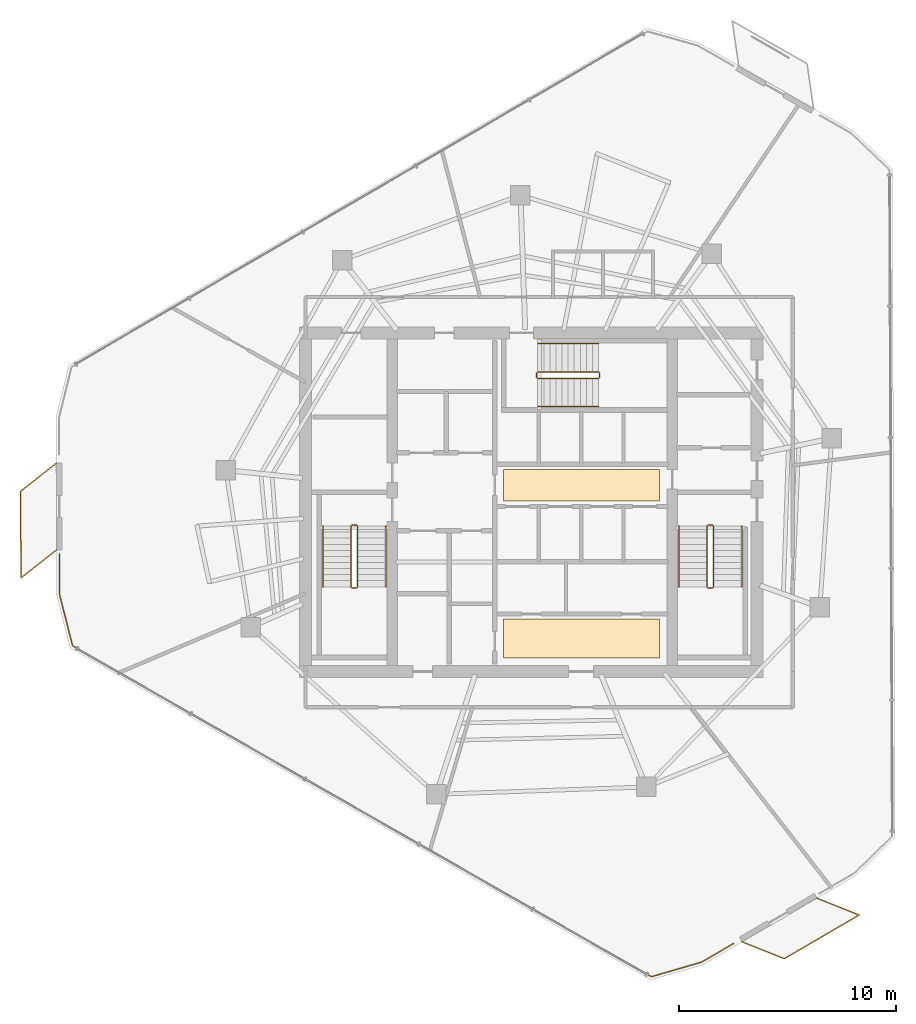
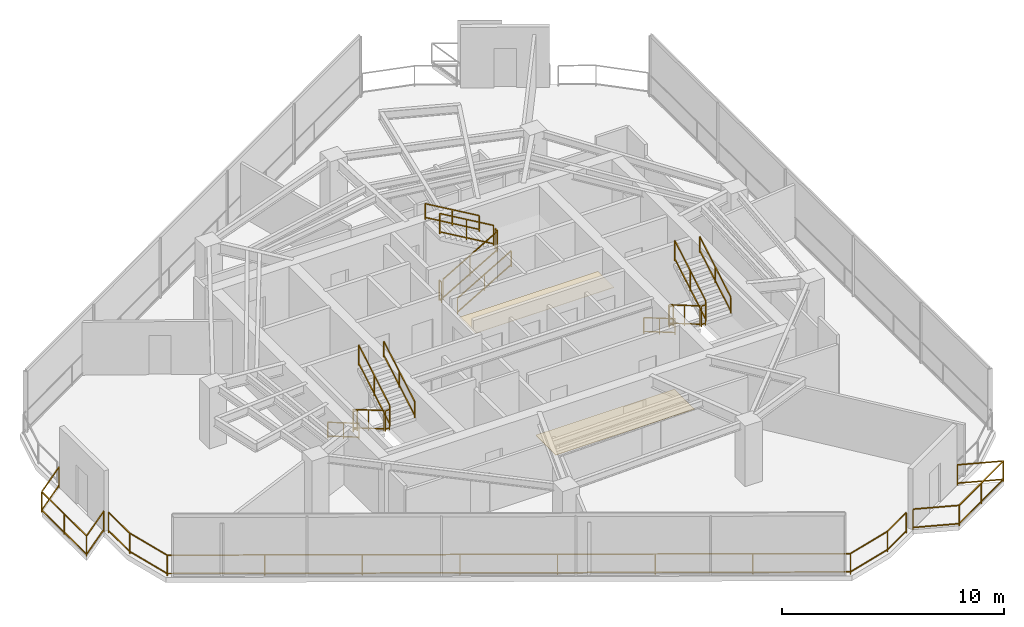
# One storey, part 18 of 19: 21 railings, 2 coverings.
"""IFC4 building model written with IfcOpenShell, lengths in metres."""

from ifc_helpers import new_model, si_unit, direction, frame, origin, origin_2d, place, context, subcontext, project, spatial, rectangle, extrude, material, layer, layer_set, type_object, element, save


model = new_model("IFC4")

# Units and contexts
model_context = context("Model", 3, precision=1e-05, world=origin(), true_north=direction((0.0, 1.0)))
body_context = subcontext(model_context, "Body", "Model", "MODEL_VIEW")
ifc_project = project(units=[si_unit("LENGTHUNIT", "METRE"), si_unit("AREAUNIT", "SQUARE_METRE"), si_unit("VOLUMEUNIT", "CUBIC_METRE"), si_unit("PLANEANGLEUNIT", "RADIAN"), si_unit("MASSUNIT", "GRAM", prefix="KILO")], contexts=[model_context])

# Site, building, storey
site_placement = place(None, origin())
site = spatial("IfcSite", under=ifc_project, at=site_placement, CompositionType="ELEMENT")
building_placement = place(site_placement, origin())
building = spatial("IfcBuilding", under=site, at=building_placement, Name="Qarnah Convention Tower", CompositionType="ELEMENT")
storey_placement = place(building_placement, frame((0.0, 0.0, 180.60009765625)))
storey = spatial("IfcBuildingStorey", under=building, at=storey_placement, Name="L48", CompositionType="ELEMENT", Elevation=180.60009765625)

# Coverings
ifc_material_1 = material(Name="Mineral fibre acoustic ceiling")
ifc_layer_1 = layer(ifc_material_1, 0.02001953125)
ifc_layer_set_1 = layer_set([ifc_layer_1], Name="Mineral fibre acoustic ceiling")
covering_type_1 = type_object("IfcCoveringType", Name="COV-CEIL-20", PredefinedType="CEILING", material=ifc_layer_set_1)
covering_1_placement = place(storey_placement, frame((39.52001953125, 27.179931640625, 2.289794921875), z_axis=(0.0, 0.0, 1.0), x_axis=(1.0, 0.0, 0.0)))
element("IfcCovering", 1, at=covering_1_placement, inside=storey, type_object=covering_type_1, Name="L48 lift lobby acoustic ceiling", PredefinedType="CEILING", context=body_context, shape_type="SweptSolid", body=[
    extrude(rectangle(XDim=7.199951171875, YDim=1.449951171875, at=origin_2d()), origin(), (0.0, 0.0, 1.0), 0.02001953125),
])
ifc_material_2 = material(Name="Porcelain stone floor tile", Category="masonry")
ifc_layer_2 = layer(ifc_material_2, 0.02001953125)
ifc_layer_set_2 = layer_set([ifc_layer_2], Name="Porcelain stone floor tile")
covering_type_2 = type_object("IfcCoveringType", Name="COV-FLOOR-20", PredefinedType="FLOORING", material=ifc_layer_set_2)
covering_2_placement = place(storey_placement, frame((39.52001953125, 20.1201171875, 0.0), z_axis=(0.0, 0.0, 1.0), x_axis=(1.0, 0.0, 0.0)))
element("IfcCovering", 2, at=covering_2_placement, inside=storey, type_object=covering_type_2, Name="L48 lift lobby porcelain stone flooring", PredefinedType="FLOORING", context=body_context, shape_type="SweptSolid", body=[
    extrude(rectangle(XDim=7.199951171875, YDim=1.800048828125, at=origin_2d()), origin(), (0.0, 0.0, 1.0), 0.02001953125),
])

# Railings
ifc_material_3 = material(Name="Black anodised aluminium", Category="aluminium")
railing_type_1 = type_object("IfcRailingType", Name="RL-EXT-GUARD-1150", PredefinedType="GUARDRAIL", material=ifc_material_3)
railing_1_placement = place(storey_placement, frame((46.514892578125, 6.06591796875, 0.0)))
element("IfcRailing", 3, at=railing_1_placement, inside=storey, type_object=railing_type_1, Name="L48 slab-edge perimeter safety guard 03", PredefinedType="GUARDRAIL", context=body_context, shape_type="SweptSolid", body=[
    extrude(rectangle(XDim=0.048095703125, YDim=0.048095703125, at=origin_2d()), frame((0.0, 0.0, 1.1259765625), z_axis=(-0.864008769689, -0.503476758054, 0.0), x_axis=(0.503476758054, -0.864008769689, 0.0)), (0.0, 0.0, 1.0), 1.6943359375),
    extrude(rectangle(XDim=0.048095703125, YDim=0.048095703125, at=origin_2d()), frame((0.0, 0.0, 0.1201171875), z_axis=(-0.864008769689, -0.503476758054, 0.0), x_axis=(0.503476758054, -0.864008769689, 0.0)), (0.0, 0.0, 1.0), 1.6943359375),
    extrude(rectangle(XDim=0.048095703125, YDim=0.048095703125, at=origin_2d()), frame((-1.4638671875, -0.85302734375, 1.1259765625), z_axis=(-0.960088482023, -0.279696454548, 0.0), x_axis=(0.279696454548, -0.960088482023, 0.0)), (0.0, 0.0, 1.0), 2.4091796875),
    extrude(rectangle(XDim=0.048095703125, YDim=0.048095703125, at=origin_2d()), frame((-1.4638671875, -0.85302734375, 0.1201171875), z_axis=(-0.960088482023, -0.279696454548, 0.0), x_axis=(0.279696454548, -0.960088482023, 0.0)), (0.0, 0.0, 1.0), 2.4091796875),
    extrude(rectangle(XDim=0.048095703125, YDim=0.048095703125, at=origin_2d()), frame((-3.77685546875, -1.52685546875, 1.1259765625), z_axis=(-0.868121322429, 0.496352062093, 0.0), x_axis=(-0.496352062093, -0.868121322429, 0.0)), (0.0, 0.0, 1.0), 30.7158203125),
    extrude(rectangle(XDim=0.048095703125, YDim=0.048095703125, at=origin_2d()), frame((-3.77685546875, -1.52685546875, 0.1201171875), z_axis=(-0.868121322429, 0.496352062093, 0.0), x_axis=(-0.496352062093, -0.868121322429, 0.0)), (0.0, 0.0, 1.0), 30.7158203125),
    extrude(rectangle(XDim=0.048095703125, YDim=0.048095703125, at=origin_2d()), frame((-30.44189453125, 13.718994140625, 1.1259765625), z_axis=(-0.246037544726, 0.969260298674, 0.0), x_axis=(-0.969260298674, -0.246037544726, 0.0)), (0.0, 0.0, 1.0), 2.41015625),
    extrude(rectangle(XDim=0.048095703125, YDim=0.048095703125, at=origin_2d()), frame((-30.44189453125, 13.718994140625, 0.1201171875), z_axis=(-0.246037544726, 0.969260298674, 0.0), x_axis=(-0.969260298674, -0.246037544726, 0.0)), (0.0, 0.0, 1.0), 2.41015625),
    extrude(rectangle(XDim=0.048095703125, YDim=0.048095703125, at=origin_2d()), frame((-31.034912109375, 16.05517578125, 1.1259765625), z_axis=(-0.004233988223, 0.999991036632, 0.0), x_axis=(-0.999991036632, -0.004233988223, 0.0)), (0.0, 0.0, 1.0), 1.90283203125),
    extrude(rectangle(XDim=0.048095703125, YDim=0.048095703125, at=origin_2d()), frame((-31.034912109375, 16.05517578125, 0.1201171875), z_axis=(-0.004233988223, 0.999991036632, 0.0), x_axis=(-0.999991036632, -0.004233988223, 0.0)), (0.0, 0.0, 1.0), 1.90283203125),
    extrude(rectangle(XDim=0.0419921875, YDim=0.0419921875, at=origin_2d()), origin(), (0.0, 0.0, 1.0), 1.101806640625),
    extrude(rectangle(XDim=0.0419921875, YDim=0.0419921875, at=origin_2d()), frame((-1.4638671875, -0.85302734375, 0.0)), (0.0, 0.0, 1.0), 1.101806640625),
    extrude(rectangle(XDim=0.0419921875, YDim=0.0419921875, at=origin_2d()), frame((-3.77685546875, -1.52685546875, 0.0)), (0.0, 0.0, 1.0), 1.101806640625),
    extrude(rectangle(XDim=0.0419921875, YDim=0.0419921875, at=origin_2d()), frame((-7.586181640625, 0.651123046875, 0.0)), (0.0, 0.0, 1.0), 1.101806640625),
    extrude(rectangle(XDim=0.0419921875, YDim=0.0419921875, at=origin_2d()), frame((-11.3955078125, 2.8291015625, 0.0)), (0.0, 0.0, 1.0), 1.101806640625),
    extrude(rectangle(XDim=0.0419921875, YDim=0.0419921875, at=origin_2d()), frame((-15.204833984375, 5.007080078125, 0.0)), (0.0, 0.0, 1.0), 1.101806640625),
    extrude(rectangle(XDim=0.0419921875, YDim=0.0419921875, at=origin_2d()), frame((-19.013916015625, 7.18505859375, 0.0)), (0.0, 0.0, 1.0), 1.101806640625),
    extrude(rectangle(XDim=0.0419921875, YDim=0.0419921875, at=origin_2d()), frame((-22.8232421875, 9.363037109375, 0.0)), (0.0, 0.0, 1.0), 1.101806640625),
    extrude(rectangle(XDim=0.0419921875, YDim=0.0419921875, at=origin_2d()), frame((-26.632568359375, 11.541015625, 0.0)), (0.0, 0.0, 1.0), 1.101806640625),
    extrude(rectangle(XDim=0.0419921875, YDim=0.0419921875, at=origin_2d()), frame((-30.44189453125, 13.718994140625, 0.0)), (0.0, 0.0, 1.0), 1.101806640625),
    extrude(rectangle(XDim=0.0419921875, YDim=0.0419921875, at=origin_2d()), frame((-31.034912109375, 16.05517578125, 0.0)), (0.0, 0.0, 1.0), 1.101806640625),
    extrude(rectangle(XDim=0.0419921875, YDim=0.0419921875, at=origin_2d()), frame((-31.04296875, 17.9580078125, 0.0)), (0.0, 0.0, 1.0), 1.101806640625),
])
railing_2_placement = place(storey_placement, frame((15.3369140625, 24.197998046875, 0.0)))
element("IfcRailing", 4, at=railing_2_placement, inside=storey, type_object=railing_type_1, Name="L48 balcony safety guard BAL-L48-C2", PredefinedType="GUARDRAIL", context=body_context, shape_type="SweptSolid", body=[
    extrude(rectangle(XDim=0.048095703125, YDim=0.048095703125, at=origin_2d()), frame((0.0, 0.0, 1.1259765625), z_axis=(-0.785532887188, -0.618819911724, 0.0), x_axis=(0.618819911724, -0.785532887188, 0.0)), (0.0, 0.0, 1.0), 2.09423828125),
    extrude(rectangle(XDim=0.048095703125, YDim=0.048095703125, at=origin_2d()), frame((0.0, 0.0, 0.1201171875), z_axis=(-0.785532887188, -0.618819911724, 0.0), x_axis=(0.618819911724, -0.785532887188, 0.0)), (0.0, 0.0, 1.0), 2.09423828125),
    extrude(rectangle(XDim=0.048095703125, YDim=0.048095703125, at=origin_2d()), frame((-1.64501953125, -1.2958984375, 1.1259765625), z_axis=(-0.004211388435, 0.999991132064, 0.0), x_axis=(-0.999991132064, -0.004211388435, 0.0)), (0.0, 0.0, 1.0), 4.0),
    extrude(rectangle(XDim=0.048095703125, YDim=0.048095703125, at=origin_2d()), frame((-1.64501953125, -1.2958984375, 0.1201171875), z_axis=(-0.004211388435, 0.999991132064, 0.0), x_axis=(-0.999991132064, -0.004211388435, 0.0)), (0.0, 0.0, 1.0), 4.0),
    extrude(rectangle(XDim=0.048095703125, YDim=0.048095703125, at=origin_2d()), frame((-1.661865234375, 2.7041015625, 1.1259765625), z_axis=(0.785532887188, 0.618819911724, 0.0), x_axis=(-0.618819911724, 0.785532887188, 0.0)), (0.0, 0.0, 1.0), 2.09423828125),
    extrude(rectangle(XDim=0.048095703125, YDim=0.048095703125, at=origin_2d()), frame((-1.661865234375, 2.7041015625, 0.1201171875), z_axis=(0.785532887188, 0.618819911724, 0.0), x_axis=(-0.618819911724, 0.785532887188, 0.0)), (0.0, 0.0, 1.0), 2.09423828125),
    extrude(rectangle(XDim=0.0419921875, YDim=0.0419921875, at=origin_2d()), origin(), (0.0, 0.0, 1.0), 1.101806640625),
    extrude(rectangle(XDim=0.0419921875, YDim=0.0419921875, at=origin_2d()), frame((-1.64501953125, -1.2958984375, 0.0)), (0.0, 0.0, 1.0), 1.101806640625),
    extrude(rectangle(XDim=0.0419921875, YDim=0.0419921875, at=origin_2d()), frame((-1.6533203125, 0.7041015625, 0.0)), (0.0, 0.0, 1.0), 1.101806640625),
    extrude(rectangle(XDim=0.0419921875, YDim=0.0419921875, at=origin_2d()), frame((-1.661865234375, 2.7041015625, 0.0)), (0.0, 0.0, 1.0), 1.101806640625),
    extrude(rectangle(XDim=0.0419921875, YDim=0.0419921875, at=origin_2d()), frame((-0.016845703125, 4.0, 0.0)), (0.0, 0.0, 1.0), 1.101806640625),
])
railing_3_placement = place(storey_placement, frame((50.3701171875, 8.156982421875, 0.0)))
element("IfcRailing", 5, at=railing_3_placement, inside=storey, type_object=railing_type_1, Name="L48 balcony safety guard BAL-L48-C3", PredefinedType="GUARDRAIL", context=body_context, shape_type="SweptSolid", body=[
    extrude(rectangle(XDim=0.048095703125, YDim=0.048095703125, at=origin_2d()), frame((0.0, 0.0, 1.1259765625), z_axis=(0.928814037075, -0.370546197568, 0.0), x_axis=(0.370546197568, 0.928814037075, 0.0)), (0.0, 0.0, 1.0), 2.093994140625),
    extrude(rectangle(XDim=0.048095703125, YDim=0.048095703125, at=origin_2d()), frame((0.0, 0.0, 0.1201171875), z_axis=(0.928814037075, -0.370546197568, 0.0), x_axis=(0.370546197568, 0.928814037075, 0.0)), (0.0, 0.0, 1.0), 2.093994140625),
    extrude(rectangle(XDim=0.048095703125, YDim=0.048095703125, at=origin_2d()), frame((1.94482421875, -0.77587890625, 1.1259765625), z_axis=(-0.863876272529, -0.503704065658, 0.0), x_axis=(0.503704065658, -0.863876272529, 0.0)), (0.0, 0.0, 1.0), 4.000732421875),
    extrude(rectangle(XDim=0.048095703125, YDim=0.048095703125, at=origin_2d()), frame((1.94482421875, -0.77587890625, 0.1201171875), z_axis=(-0.863876272529, -0.503704065658, 0.0), x_axis=(0.503704065658, -0.863876272529, 0.0)), (0.0, 0.0, 1.0), 4.000732421875),
    extrude(rectangle(XDim=0.048095703125, YDim=0.048095703125, at=origin_2d()), frame((-1.51123046875, -2.791015625, 1.1259765625), z_axis=(-0.928613298748, 0.37104897438, 0.0), x_axis=(-0.37104897438, -0.928613298748, 0.0)), (0.0, 0.0, 1.0), 2.09423828125),
    extrude(rectangle(XDim=0.048095703125, YDim=0.048095703125, at=origin_2d()), frame((-1.51123046875, -2.791015625, 0.1201171875), z_axis=(-0.928613298748, 0.37104897438, 0.0), x_axis=(-0.37104897438, -0.928613298748, 0.0)), (0.0, 0.0, 1.0), 2.09423828125),
    extrude(rectangle(XDim=0.0419921875, YDim=0.0419921875, at=origin_2d()), origin(), (0.0, 0.0, 1.0), 1.101806640625),
    extrude(rectangle(XDim=0.0419921875, YDim=0.0419921875, at=origin_2d()), frame((1.94482421875, -0.77587890625, 0.0)), (0.0, 0.0, 1.0), 1.101806640625),
    extrude(rectangle(XDim=0.0419921875, YDim=0.0419921875, at=origin_2d()), frame((0.216796875, -1.783447265625, 0.0)), (0.0, 0.0, 1.0), 1.101806640625),
    extrude(rectangle(XDim=0.0419921875, YDim=0.0419921875, at=origin_2d()), frame((-1.51123046875, -2.791015625, 0.0)), (0.0, 0.0, 1.0), 1.101806640625),
    extrude(rectangle(XDim=0.0419921875, YDim=0.0419921875, at=origin_2d()), frame((-3.4560546875, -2.013916015625, 0.0)), (0.0, 0.0, 1.0), 1.101806640625),
])
ifc_material_4 = material(Name="Structural steel S355JR", Category="steel")
railing_type_2 = type_object("IfcRailingType", Name="RL-STAIR-GUARD-1150", PredefinedType="GUARDRAIL", material=ifc_material_4)
railing_4_placement = place(storey_placement, frame((28.89990234375, 25.300048828125, 0.16357421875)))
element("IfcRailing", 6, at=railing_4_placement, inside=storey, type_object=railing_type_2, Name="L48 ST-1 stair guard 1", PredefinedType="GUARDRAIL", context=body_context, shape_type="SweptSolid", body=[
    extrude(rectangle(XDim=0.048095703125, YDim=0.048095703125, at=origin_2d()), frame((0.0, 0.0, 1.1259765625), z_axis=(0.0, -0.863393664356, 0.504530851732), x_axis=(1.0, 0.0, 0.0)), (0.0, 0.0, 1.0), 3.2431640625),
    extrude(rectangle(XDim=0.048095703125, YDim=0.048095703125, at=origin_2d()), frame((0.0, 0.0, 0.1201171875), z_axis=(0.0, -0.863393664356, 0.504530851732), x_axis=(1.0, 0.0, 0.0)), (0.0, 0.0, 1.0), 3.2431640625),
    extrude(rectangle(XDim=0.0419921875, YDim=0.0419921875, at=origin_2d()), origin(), (0.0, 0.0, 1.0), 1.101806640625),
    extrude(rectangle(XDim=0.0419921875, YDim=0.0419921875, at=origin_2d()), frame((0.0, -1.39990234375, 0.818115234375)), (0.0, 0.0, 1.0), 1.101806640625),
    extrude(rectangle(XDim=0.0419921875, YDim=0.0419921875, at=origin_2d()), frame((0.0, -2.800048828125, 1.63623046875)), (0.0, 0.0, 1.0), 1.101806640625),
])
railing_5_placement = place(storey_placement, frame((28.949951171875, 22.449951171875, 1.7998046875)))
element("IfcRailing", 7, at=railing_5_placement, inside=storey, type_object=railing_type_2, Name="L48 ST-1 stair guard 2", PredefinedType="GUARDRAIL", context=body_context, shape_type="SweptSolid", body=[
    extrude(rectangle(XDim=0.048095703125, YDim=0.048095703125, at=origin_2d()), frame((0.0, 0.0, 1.1259765625), z_axis=(1.0, 0.0, 0.0), x_axis=(0.0, 1.0, 0.0)), (0.0, 0.0, 1.0), 0.199951171875),
    extrude(rectangle(XDim=0.048095703125, YDim=0.048095703125, at=origin_2d()), frame((0.0, 0.0, 0.1201171875), z_axis=(1.0, 0.0, 0.0), x_axis=(0.0, 1.0, 0.0)), (0.0, 0.0, 1.0), 0.199951171875),
    extrude(rectangle(XDim=0.0419921875, YDim=0.0419921875, at=origin_2d()), origin(), (0.0, 0.0, 1.0), 1.101806640625),
    extrude(rectangle(XDim=0.0419921875, YDim=0.0419921875, at=origin_2d()), frame((0.199951171875, 0.0, 0.0)), (0.0, 0.0, 1.0), 1.101806640625),
])
railing_6_placement = place(storey_placement, frame((29.199951171875, 22.5, 1.963623046875)))
element("IfcRailing", 8, at=railing_6_placement, inside=storey, type_object=railing_type_2, Name="L48 ST-1 stair guard 3", PredefinedType="GUARDRAIL", context=body_context, shape_type="SweptSolid", body=[
    extrude(rectangle(XDim=0.048095703125, YDim=0.048095703125, at=origin_2d()), frame((0.0, 0.0, 1.1259765625), z_axis=(0.0, 0.863393664356, 0.504530851732), x_axis=(-1.0, 0.0, 0.0)), (0.0, 0.0, 1.0), 3.2431640625),
    extrude(rectangle(XDim=0.048095703125, YDim=0.048095703125, at=origin_2d()), frame((0.0, 0.0, 0.1201171875), z_axis=(0.0, 0.863393664356, 0.504530851732), x_axis=(-1.0, 0.0, 0.0)), (0.0, 0.0, 1.0), 3.2431640625),
    extrude(rectangle(XDim=0.0419921875, YDim=0.0419921875, at=origin_2d()), origin(), (0.0, 0.0, 1.0), 1.101806640625),
    extrude(rectangle(XDim=0.0419921875, YDim=0.0419921875, at=origin_2d()), frame((0.0, 1.39990234375, 0.818115234375)), (0.0, 0.0, 1.0), 1.101806640625),
    extrude(rectangle(XDim=0.0419921875, YDim=0.0419921875, at=origin_2d()), frame((0.0, 2.800048828125, 1.63623046875)), (0.0, 0.0, 1.0), 1.101806640625),
])
railing_7_placement = place(storey_placement, frame((28.949951171875, 25.35009765625, 0.0)))
element("IfcRailing", 9, at=railing_7_placement, inside=storey, type_object=railing_type_2, Name="L48 ST-1 stair guard 4", PredefinedType="GUARDRAIL", context=body_context, shape_type="SweptSolid", body=[
    extrude(rectangle(XDim=0.048095703125, YDim=0.048095703125, at=origin_2d()), frame((0.0, 0.0, 1.1259765625), z_axis=(1.0, 0.0, 0.0), x_axis=(0.0, 1.0, 0.0)), (0.0, 0.0, 1.0), 0.199951171875),
    extrude(rectangle(XDim=0.048095703125, YDim=0.048095703125, at=origin_2d()), frame((0.0, 0.0, 0.1201171875), z_axis=(1.0, 0.0, 0.0), x_axis=(0.0, 1.0, 0.0)), (0.0, 0.0, 1.0), 0.199951171875),
    extrude(rectangle(XDim=0.0419921875, YDim=0.0419921875, at=origin_2d()), origin(), (0.0, 0.0, 1.0), 1.101806640625),
    extrude(rectangle(XDim=0.0419921875, YDim=0.0419921875, at=origin_2d()), frame((0.199951171875, 0.0, 0.0)), (0.0, 0.0, 1.0), 1.101806640625),
])
railing_8_placement = place(storey_placement, frame((45.300048828125, 25.300048828125, 0.16357421875)))
element("IfcRailing", 10, at=railing_8_placement, inside=storey, type_object=railing_type_2, Name="L48 ST-2 stair guard 1", PredefinedType="GUARDRAIL", context=body_context, shape_type="SweptSolid", body=[
    extrude(rectangle(XDim=0.048095703125, YDim=0.048095703125, at=origin_2d()), frame((0.0, 0.0, 1.1259765625), z_axis=(0.0, -0.863393664356, 0.504530851732), x_axis=(1.0, 0.0, 0.0)), (0.0, 0.0, 1.0), 3.2431640625),
    extrude(rectangle(XDim=0.048095703125, YDim=0.048095703125, at=origin_2d()), frame((0.0, 0.0, 0.1201171875), z_axis=(0.0, -0.863393664356, 0.504530851732), x_axis=(1.0, 0.0, 0.0)), (0.0, 0.0, 1.0), 3.2431640625),
    extrude(rectangle(XDim=0.0419921875, YDim=0.0419921875, at=origin_2d()), origin(), (0.0, 0.0, 1.0), 1.101806640625),
    extrude(rectangle(XDim=0.0419921875, YDim=0.0419921875, at=origin_2d()), frame((0.0, -1.39990234375, 0.818115234375)), (0.0, 0.0, 1.0), 1.101806640625),
    extrude(rectangle(XDim=0.0419921875, YDim=0.0419921875, at=origin_2d()), frame((0.0, -2.800048828125, 1.63623046875)), (0.0, 0.0, 1.0), 1.101806640625),
])
railing_9_placement = place(storey_placement, frame((45.35009765625, 22.449951171875, 1.7998046875)))
element("IfcRailing", 11, at=railing_9_placement, inside=storey, type_object=railing_type_2, Name="L48 ST-2 stair guard 2", PredefinedType="GUARDRAIL", context=body_context, shape_type="SweptSolid", body=[
    extrude(rectangle(XDim=0.048095703125, YDim=0.048095703125, at=origin_2d()), frame((0.0, 0.0, 1.1259765625), z_axis=(1.0, 0.0, 0.0), x_axis=(0.0, 1.0, 0.0)), (0.0, 0.0, 1.0), 0.199951171875),
    extrude(rectangle(XDim=0.048095703125, YDim=0.048095703125, at=origin_2d()), frame((0.0, 0.0, 0.1201171875), z_axis=(1.0, 0.0, 0.0), x_axis=(0.0, 1.0, 0.0)), (0.0, 0.0, 1.0), 0.199951171875),
    extrude(rectangle(XDim=0.0419921875, YDim=0.0419921875, at=origin_2d()), origin(), (0.0, 0.0, 1.0), 1.101806640625),
    extrude(rectangle(XDim=0.0419921875, YDim=0.0419921875, at=origin_2d()), frame((0.199951171875, 0.0, 0.0)), (0.0, 0.0, 1.0), 1.101806640625),
])
railing_10_placement = place(storey_placement, frame((45.60009765625, 22.5, 1.963623046875)))
element("IfcRailing", 12, at=railing_10_placement, inside=storey, type_object=railing_type_2, Name="L48 ST-2 stair guard 3", PredefinedType="GUARDRAIL", context=body_context, shape_type="SweptSolid", body=[
    extrude(rectangle(XDim=0.048095703125, YDim=0.048095703125, at=origin_2d()), frame((0.0, 0.0, 1.1259765625), z_axis=(0.0, 0.863393664356, 0.504530851732), x_axis=(-1.0, 0.0, 0.0)), (0.0, 0.0, 1.0), 3.2431640625),
    extrude(rectangle(XDim=0.048095703125, YDim=0.048095703125, at=origin_2d()), frame((0.0, 0.0, 0.1201171875), z_axis=(0.0, 0.863393664356, 0.504530851732), x_axis=(-1.0, 0.0, 0.0)), (0.0, 0.0, 1.0), 3.2431640625),
    extrude(rectangle(XDim=0.0419921875, YDim=0.0419921875, at=origin_2d()), origin(), (0.0, 0.0, 1.0), 1.101806640625),
    extrude(rectangle(XDim=0.0419921875, YDim=0.0419921875, at=origin_2d()), frame((0.0, 1.39990234375, 0.818115234375)), (0.0, 0.0, 1.0), 1.101806640625),
    extrude(rectangle(XDim=0.0419921875, YDim=0.0419921875, at=origin_2d()), frame((0.0, 2.800048828125, 1.63623046875)), (0.0, 0.0, 1.0), 1.101806640625),
])
railing_11_placement = place(storey_placement, frame((45.35009765625, 25.35009765625, 0.0)))
element("IfcRailing", 13, at=railing_11_placement, inside=storey, type_object=railing_type_2, Name="L48 ST-2 stair guard 4", PredefinedType="GUARDRAIL", context=body_context, shape_type="SweptSolid", body=[
    extrude(rectangle(XDim=0.048095703125, YDim=0.048095703125, at=origin_2d()), frame((0.0, 0.0, 1.1259765625), z_axis=(1.0, 0.0, 0.0), x_axis=(0.0, 1.0, 0.0)), (0.0, 0.0, 1.0), 0.199951171875),
    extrude(rectangle(XDim=0.048095703125, YDim=0.048095703125, at=origin_2d()), frame((0.0, 0.0, 0.1201171875), z_axis=(1.0, 0.0, 0.0), x_axis=(0.0, 1.0, 0.0)), (0.0, 0.0, 1.0), 0.199951171875),
    extrude(rectangle(XDim=0.0419921875, YDim=0.0419921875, at=origin_2d()), origin(), (0.0, 0.0, 1.0), 1.101806640625),
    extrude(rectangle(XDim=0.0419921875, YDim=0.0419921875, at=origin_2d()), frame((0.199951171875, 0.0, 0.0)), (0.0, 0.0, 1.0), 1.101806640625),
])
railing_12_placement = place(storey_placement, frame((37.5, 32.10009765625, 0.16357421875)))
element("IfcRailing", 14, at=railing_12_placement, inside=storey, type_object=railing_type_2, Name="L48 ST-3 stair guard 1", PredefinedType="GUARDRAIL", context=body_context, shape_type="SweptSolid", body=[
    extrude(rectangle(XDim=0.048095703125, YDim=0.048095703125, at=origin_2d()), frame((0.0, 0.0, 1.1259765625), z_axis=(0.863393664356, 0.0, 0.504530851732), x_axis=(0.0, 1.0, 0.0)), (0.0, 0.0, 1.0), 3.2431640625),
    extrude(rectangle(XDim=0.048095703125, YDim=0.048095703125, at=origin_2d()), frame((0.0, 0.0, 0.1201171875), z_axis=(0.863393664356, 0.0, 0.504530851732), x_axis=(0.0, 1.0, 0.0)), (0.0, 0.0, 1.0), 3.2431640625),
    extrude(rectangle(XDim=0.0419921875, YDim=0.0419921875, at=origin_2d()), origin(), (0.0, 0.0, 1.0), 1.101806640625),
    extrude(rectangle(XDim=0.0419921875, YDim=0.0419921875, at=origin_2d()), frame((1.39990234375, 0.0, 0.818115234375)), (0.0, 0.0, 1.0), 1.101806640625),
    extrude(rectangle(XDim=0.0419921875, YDim=0.0419921875, at=origin_2d()), frame((2.800048828125, 0.0, 1.63623046875)), (0.0, 0.0, 1.0), 1.101806640625),
])
railing_13_placement = place(storey_placement, frame((40.35009765625, 32.14990234375, 1.7998046875)))
element("IfcRailing", 15, at=railing_13_placement, inside=storey, type_object=railing_type_2, Name="L48 ST-3 stair guard 2", PredefinedType="GUARDRAIL", context=body_context, shape_type="SweptSolid", body=[
    extrude(rectangle(XDim=0.048095703125, YDim=0.048095703125, at=origin_2d()), frame((0.0, 0.0, 1.1259765625), z_axis=(0.0, 1.0, 0.0), x_axis=(-1.0, 0.0, 0.0)), (0.0, 0.0, 1.0), 0.2001953125),
    extrude(rectangle(XDim=0.048095703125, YDim=0.048095703125, at=origin_2d()), frame((0.0, 0.0, 0.1201171875), z_axis=(0.0, 1.0, 0.0), x_axis=(-1.0, 0.0, 0.0)), (0.0, 0.0, 1.0), 0.2001953125),
    extrude(rectangle(XDim=0.0419921875, YDim=0.0419921875, at=origin_2d()), origin(), (0.0, 0.0, 1.0), 1.101806640625),
    extrude(rectangle(XDim=0.0419921875, YDim=0.0419921875, at=origin_2d()), frame((0.0, 0.2001953125, 0.0)), (0.0, 0.0, 1.0), 1.101806640625),
])
railing_14_placement = place(storey_placement, frame((40.300048828125, 32.39990234375, 1.963623046875)))
element("IfcRailing", 16, at=railing_14_placement, inside=storey, type_object=railing_type_2, Name="L48 ST-3 stair guard 3", PredefinedType="GUARDRAIL", context=body_context, shape_type="SweptSolid", body=[
    extrude(rectangle(XDim=0.048095703125, YDim=0.048095703125, at=origin_2d()), frame((0.0, 0.0, 1.1259765625), z_axis=(-0.863393664356, 0.0, 0.504530851732), x_axis=(0.0, -1.0, 0.0)), (0.0, 0.0, 1.0), 3.2431640625),
    extrude(rectangle(XDim=0.048095703125, YDim=0.048095703125, at=origin_2d()), frame((0.0, 0.0, 0.1201171875), z_axis=(-0.863393664356, 0.0, 0.504530851732), x_axis=(0.0, -1.0, 0.0)), (0.0, 0.0, 1.0), 3.2431640625),
    extrude(rectangle(XDim=0.0419921875, YDim=0.0419921875, at=origin_2d()), origin(), (0.0, 0.0, 1.0), 1.101806640625),
    extrude(rectangle(XDim=0.0419921875, YDim=0.0419921875, at=origin_2d()), frame((-1.39990234375, 0.0, 0.818115234375)), (0.0, 0.0, 1.0), 1.101806640625),
    extrude(rectangle(XDim=0.0419921875, YDim=0.0419921875, at=origin_2d()), frame((-2.800048828125, 0.0, 1.63623046875)), (0.0, 0.0, 1.0), 1.101806640625),
])
railing_15_placement = place(storey_placement, frame((37.449951171875, 32.14990234375, 0.0)))
element("IfcRailing", 17, at=railing_15_placement, inside=storey, type_object=railing_type_2, Name="L48 ST-3 stair guard 4", PredefinedType="GUARDRAIL", context=body_context, shape_type="SweptSolid", body=[
    extrude(rectangle(XDim=0.048095703125, YDim=0.048095703125, at=origin_2d()), frame((0.0, 0.0, 1.1259765625), z_axis=(0.0, 1.0, 0.0), x_axis=(-1.0, 0.0, 0.0)), (0.0, 0.0, 1.0), 0.2001953125),
    extrude(rectangle(XDim=0.048095703125, YDim=0.048095703125, at=origin_2d()), frame((0.0, 0.0, 0.1201171875), z_axis=(0.0, 1.0, 0.0), x_axis=(-1.0, 0.0, 0.0)), (0.0, 0.0, 1.0), 0.2001953125),
    extrude(rectangle(XDim=0.0419921875, YDim=0.0419921875, at=origin_2d()), origin(), (0.0, 0.0, 1.0), 1.101806640625),
    extrude(rectangle(XDim=0.0419921875, YDim=0.0419921875, at=origin_2d()), frame((0.0, 0.2001953125, 0.0)), (0.0, 0.0, 1.0), 1.101806640625),
])
railing_type_3 = type_object("IfcRailingType", Name="RL-STAIR-HAND-900", PredefinedType="HANDRAIL", material=ifc_material_4)
railing_16_placement = place(storey_placement, frame((27.60009765625, 25.300048828125, 0.16357421875)))
element("IfcRailing", 18, at=railing_16_placement, inside=storey, type_object=railing_type_3, Name="L48 ST-1 stair handrail 1", PredefinedType="HANDRAIL", context=body_context, shape_type="SweptSolid", body=[
    extrude(rectangle(XDim=0.048095703125, YDim=0.048095703125, at=origin_2d()), frame((0.0, 0.0, 0.8759765625), z_axis=(0.0, -0.863393664356, 0.504530851732), x_axis=(1.0, 0.0, 0.0)), (0.0, 0.0, 1.0), 3.2431640625),
    extrude(rectangle(XDim=0.048095703125, YDim=0.048095703125, at=origin_2d()), frame((0.0, 0.0, 0.1201171875), z_axis=(0.0, -0.863393664356, 0.504530851732), x_axis=(1.0, 0.0, 0.0)), (0.0, 0.0, 1.0), 3.2431640625),
    extrude(rectangle(XDim=0.0419921875, YDim=0.0419921875, at=origin_2d()), origin(), (0.0, 0.0, 1.0), 0.851806640625),
    extrude(rectangle(XDim=0.0419921875, YDim=0.0419921875, at=origin_2d()), frame((0.0, -1.39990234375, 0.818115234375)), (0.0, 0.0, 1.0), 0.851806640625),
    extrude(rectangle(XDim=0.0419921875, YDim=0.0419921875, at=origin_2d()), frame((0.0, -2.800048828125, 1.63623046875)), (0.0, 0.0, 1.0), 0.851806640625),
])
railing_17_placement = place(storey_placement, frame((30.5, 22.5, 1.963623046875)))
element("IfcRailing", 19, at=railing_17_placement, inside=storey, type_object=railing_type_3, Name="L48 ST-1 stair handrail 2", PredefinedType="HANDRAIL", context=body_context, shape_type="SweptSolid", body=[
    extrude(rectangle(XDim=0.048095703125, YDim=0.048095703125, at=origin_2d()), frame((0.0, 0.0, 0.8759765625), z_axis=(0.0, 0.863393664356, 0.504530851732), x_axis=(-1.0, 0.0, 0.0)), (0.0, 0.0, 1.0), 3.2431640625),
    extrude(rectangle(XDim=0.048095703125, YDim=0.048095703125, at=origin_2d()), frame((0.0, 0.0, 0.1201171875), z_axis=(0.0, 0.863393664356, 0.504530851732), x_axis=(-1.0, 0.0, 0.0)), (0.0, 0.0, 1.0), 3.2431640625),
    extrude(rectangle(XDim=0.0419921875, YDim=0.0419921875, at=origin_2d()), origin(), (0.0, 0.0, 1.0), 0.851806640625),
    extrude(rectangle(XDim=0.0419921875, YDim=0.0419921875, at=origin_2d()), frame((0.0, 1.39990234375, 0.818115234375)), (0.0, 0.0, 1.0), 0.851806640625),
    extrude(rectangle(XDim=0.0419921875, YDim=0.0419921875, at=origin_2d()), frame((0.0, 2.800048828125, 1.63623046875)), (0.0, 0.0, 1.0), 0.851806640625),
])
railing_18_placement = place(storey_placement, frame((44.0, 25.300048828125, 0.16357421875)))
element("IfcRailing", 20, at=railing_18_placement, inside=storey, type_object=railing_type_3, Name="L48 ST-2 stair handrail 1", PredefinedType="HANDRAIL", context=body_context, shape_type="SweptSolid", body=[
    extrude(rectangle(XDim=0.048095703125, YDim=0.048095703125, at=origin_2d()), frame((0.0, 0.0, 0.8759765625), z_axis=(0.0, -0.863393664356, 0.504530851732), x_axis=(1.0, 0.0, 0.0)), (0.0, 0.0, 1.0), 3.2431640625),
    extrude(rectangle(XDim=0.048095703125, YDim=0.048095703125, at=origin_2d()), frame((0.0, 0.0, 0.1201171875), z_axis=(0.0, -0.863393664356, 0.504530851732), x_axis=(1.0, 0.0, 0.0)), (0.0, 0.0, 1.0), 3.2431640625),
    extrude(rectangle(XDim=0.0419921875, YDim=0.0419921875, at=origin_2d()), origin(), (0.0, 0.0, 1.0), 0.851806640625),
    extrude(rectangle(XDim=0.0419921875, YDim=0.0419921875, at=origin_2d()), frame((0.0, -1.39990234375, 0.818115234375)), (0.0, 0.0, 1.0), 0.851806640625),
    extrude(rectangle(XDim=0.0419921875, YDim=0.0419921875, at=origin_2d()), frame((0.0, -2.800048828125, 1.63623046875)), (0.0, 0.0, 1.0), 0.851806640625),
])
railing_19_placement = place(storey_placement, frame((46.89990234375, 22.5, 1.963623046875)))
element("IfcRailing", 21, at=railing_19_placement, inside=storey, type_object=railing_type_3, Name="L48 ST-2 stair handrail 2", PredefinedType="HANDRAIL", context=body_context, shape_type="SweptSolid", body=[
    extrude(rectangle(XDim=0.048095703125, YDim=0.048095703125, at=origin_2d()), frame((0.0, 0.0, 0.8759765625), z_axis=(0.0, 0.863393664356, 0.504530851732), x_axis=(-1.0, 0.0, 0.0)), (0.0, 0.0, 1.0), 3.2431640625),
    extrude(rectangle(XDim=0.048095703125, YDim=0.048095703125, at=origin_2d()), frame((0.0, 0.0, 0.1201171875), z_axis=(0.0, 0.863393664356, 0.504530851732), x_axis=(-1.0, 0.0, 0.0)), (0.0, 0.0, 1.0), 3.2431640625),
    extrude(rectangle(XDim=0.0419921875, YDim=0.0419921875, at=origin_2d()), origin(), (0.0, 0.0, 1.0), 0.851806640625),
    extrude(rectangle(XDim=0.0419921875, YDim=0.0419921875, at=origin_2d()), frame((0.0, 1.39990234375, 0.818115234375)), (0.0, 0.0, 1.0), 0.851806640625),
    extrude(rectangle(XDim=0.0419921875, YDim=0.0419921875, at=origin_2d()), frame((0.0, 2.800048828125, 1.63623046875)), (0.0, 0.0, 1.0), 0.851806640625),
])
railing_20_placement = place(storey_placement, frame((37.5, 30.800048828125, 0.16357421875)))
element("IfcRailing", 22, at=railing_20_placement, inside=storey, type_object=railing_type_3, Name="L48 ST-3 stair handrail 1", PredefinedType="HANDRAIL", context=body_context, shape_type="SweptSolid", body=[
    extrude(rectangle(XDim=0.048095703125, YDim=0.048095703125, at=origin_2d()), frame((0.0, 0.0, 0.8759765625), z_axis=(0.863393664356, 0.0, 0.504530851732), x_axis=(0.0, 1.0, 0.0)), (0.0, 0.0, 1.0), 3.2431640625),
    extrude(rectangle(XDim=0.048095703125, YDim=0.048095703125, at=origin_2d()), frame((0.0, 0.0, 0.1201171875), z_axis=(0.863393664356, 0.0, 0.504530851732), x_axis=(0.0, 1.0, 0.0)), (0.0, 0.0, 1.0), 3.2431640625),
    extrude(rectangle(XDim=0.0419921875, YDim=0.0419921875, at=origin_2d()), origin(), (0.0, 0.0, 1.0), 0.851806640625),
    extrude(rectangle(XDim=0.0419921875, YDim=0.0419921875, at=origin_2d()), frame((1.39990234375, 0.0, 0.818115234375)), (0.0, 0.0, 1.0), 0.851806640625),
    extrude(rectangle(XDim=0.0419921875, YDim=0.0419921875, at=origin_2d()), frame((2.800048828125, 0.0, 1.63623046875)), (0.0, 0.0, 1.0), 0.851806640625),
])
railing_21_placement = place(storey_placement, frame((40.300048828125, 33.699951171875, 1.963623046875)))
element("IfcRailing", 23, at=railing_21_placement, inside=storey, type_object=railing_type_3, Name="L48 ST-3 stair handrail 2", PredefinedType="HANDRAIL", context=body_context, shape_type="SweptSolid", body=[
    extrude(rectangle(XDim=0.048095703125, YDim=0.048095703125, at=origin_2d()), frame((0.0, 0.0, 0.8759765625), z_axis=(-0.863393664356, 0.0, 0.504530851732), x_axis=(0.0, -1.0, 0.0)), (0.0, 0.0, 1.0), 3.2431640625),
    extrude(rectangle(XDim=0.048095703125, YDim=0.048095703125, at=origin_2d()), frame((0.0, 0.0, 0.1201171875), z_axis=(-0.863393664356, 0.0, 0.504530851732), x_axis=(0.0, -1.0, 0.0)), (0.0, 0.0, 1.0), 3.2431640625),
    extrude(rectangle(XDim=0.0419921875, YDim=0.0419921875, at=origin_2d()), origin(), (0.0, 0.0, 1.0), 0.851806640625),
    extrude(rectangle(XDim=0.0419921875, YDim=0.0419921875, at=origin_2d()), frame((-1.39990234375, 0.0, 0.818115234375)), (0.0, 0.0, 1.0), 0.851806640625),
    extrude(rectangle(XDim=0.0419921875, YDim=0.0419921875, at=origin_2d()), frame((-2.800048828125, 0.0, 1.63623046875)), (0.0, 0.0, 1.0), 0.851806640625),
])

save(model, "model.ifc")
